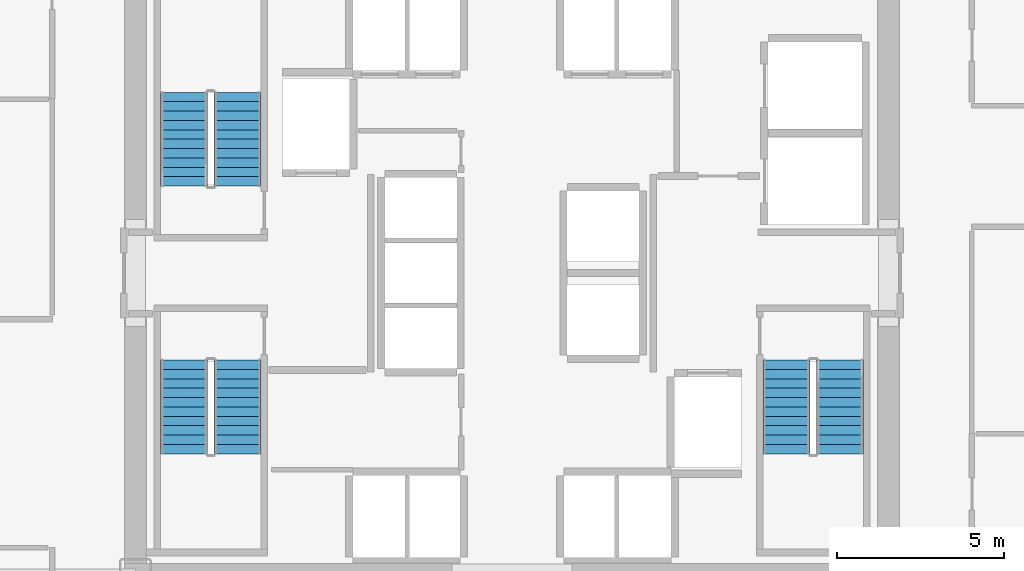
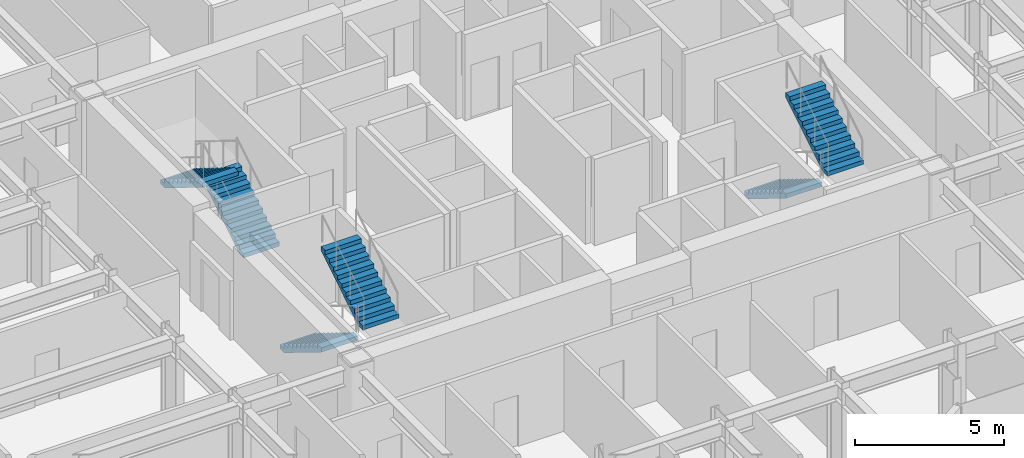
# One storey, part 25 of 26: 6 stair flights, 3 elements without a shape of their own.
"""IFC4 building model written with IfcOpenShell, lengths in metres."""

from ifc_helpers import new_model, si_unit, direction, frame, origin, place, context, subcontext, project, spatial, polyline, outline, extrude, source, transform, mapped, material, type_object, element, aggregate, save


model = new_model("IFC4")

# Units and contexts
model_context = context("Model", 3, precision=1e-05, world=origin(), true_north=direction((0.0, 1.0)))
body_context = subcontext(model_context, "Body", "Model", "MODEL_VIEW")
ifc_project = project(units=[si_unit("LENGTHUNIT", "METRE"), si_unit("AREAUNIT", "SQUARE_METRE"), si_unit("VOLUMEUNIT", "CUBIC_METRE"), si_unit("PLANEANGLEUNIT", "RADIAN"), si_unit("MASSUNIT", "GRAM", prefix="KILO")], contexts=[model_context])

# Site, building, storey
site_placement = place(None, origin())
site = spatial("IfcSite", under=ifc_project, at=site_placement, CompositionType="ELEMENT")
building_placement = place(site_placement, origin())
building = spatial("IfcBuilding", under=site, at=building_placement, Name="Nefas-Gora Pilgrimage Tower", CompositionType="ELEMENT")
storey_placement = place(building_placement, frame((0.0, 0.0, 36.800048828125)))
storey = spatial("IfcBuildingStorey", under=building, at=storey_placement, Name="L07", CompositionType="ELEMENT", Elevation=36.800048828125)

# Stair, stair flights
ifc_material = material(Name="Concrete C45/55", Category="concrete")
stair_type = type_object("IfcStairType", Name="STR-1400-R1727", PredefinedType="HALF_TURN_STAIR", material=ifc_material)
stair_1_placement = place(storey_placement, origin())
stair_1 = element("IfcStair", 1, at=stair_1_placement, inside=storey, type_object=stair_type, Name="L07 Pressurised Tower Exit Stair ST-01", PredefinedType="HALF_TURN_STAIR")
stair_flight_type = type_object("IfcStairFlightType", Name="STF-1400-R1727", PredefinedType="STRAIGHT", material=ifc_material)
shared_shape = source(origin(), body_context, "Body", "SweptSolid", [
    extrude(outline(polyline([(0.0, 0.0), (0.0, 0.172607421875), (0.280029296875, 0.172607421875), (0.280029296875, 0.345458984375), (0.56005859375, 0.345458984375), (0.56005859375, 0.51806640625), (0.840087890625, 0.51806640625), (0.840087890625, 0.69091796875), (1.1201171875, 0.69091796875), (1.1201171875, 0.863525390625), (1.39990234375, 0.863525390625), (1.39990234375, 1.036376953125), (1.679931640625, 1.036376953125), (1.679931640625, 1.208984375), (1.9599609375, 1.208984375), (1.9599609375, 1.3818359375), (2.239990234375, 1.3818359375), (2.239990234375, 1.554443359375), (2.52001953125, 1.554443359375), (2.52001953125, 1.727294921875), (2.800048828125, 1.727294921875), (2.800048828125, 1.89990234375), (2.800048828125, 1.551025390625), (0.285400390625, 0.0), (0.0, 0.0)])), frame((0.0, 0.699951171875, 0.0), z_axis=(0.0, -1.0, 0.0), x_axis=(1.0, 0.0, 0.0)), (0.0, 0.0, 1.0), 1.39990234375),
])
stair_flight_1_placement = place(storey_placement, frame((-8.199951171875, 2.60009765625, 0.0), z_axis=(0.0, 0.0, 1.0), x_axis=(0.0, 1.0, 0.0)))
stair_flight_1 = element("IfcStairFlight", 2, at=stair_flight_1_placement, type_object=stair_flight_type, Name="ST-01 flight 1", NumberOfRisers=11, NumberOfTreads=10, PredefinedType="STRAIGHT", RiserHeight=0.172727273, TreadLength=0.28, context=body_context, shape_type="MappedRepresentation", body=[
    mapped(shared_shape, transform((0.0, 0.0, 0.0), x_axis=(1.0, 0.0, 0.0), y_axis=(0.0, 1.0, 0.0), z_axis=(0.0, 0.0, 1.0), scale=1.0)),
])
stair_flight_2_placement = place(storey_placement, frame((-9.800048828125, 5.39990234375, 1.89990234375), z_axis=(0.0, 0.0, 1.0), x_axis=(0.0, -1.0, 0.0)))
stair_flight_2 = element("IfcStairFlight", 3, at=stair_flight_2_placement, type_object=stair_flight_type, Name="ST-01 flight 2", NumberOfRisers=11, NumberOfTreads=10, PredefinedType="STRAIGHT", RiserHeight=0.172727273, TreadLength=0.28, context=body_context, shape_type="MappedRepresentation", body=[
    mapped(shared_shape, transform((0.0, 0.0, 0.0), x_axis=(1.0, 0.0, 0.0), y_axis=(0.0, 1.0, 0.0), z_axis=(0.0, 0.0, 1.0), scale=1.0)),
])
aggregate(stair_1, [stair_flight_1, stair_flight_2])

stair_2_placement = place(storey_placement, origin())
stair_2 = element("IfcStair", 4, at=stair_2_placement, inside=storey, type_object=stair_type, Name="L07 Pressurised Tower Exit Stair ST-02", PredefinedType="HALF_TURN_STAIR")
stair_flight_3_placement = place(storey_placement, frame((8.199951171875, -2.60009765625, 0.0), z_axis=(0.0, 0.0, 1.0), x_axis=(0.0, -1.0, 0.0)))
stair_flight_3 = element("IfcStairFlight", 5, at=stair_flight_3_placement, type_object=stair_flight_type, Name="ST-02 flight 1", NumberOfRisers=11, NumberOfTreads=10, PredefinedType="STRAIGHT", RiserHeight=0.172727273, TreadLength=0.28, context=body_context, shape_type="MappedRepresentation", body=[
    mapped(shared_shape, transform((0.0, 0.0, 0.0), x_axis=(1.0, 0.0, 0.0), y_axis=(0.0, 1.0, 0.0), z_axis=(0.0, 0.0, 1.0), scale=1.0)),
])
stair_flight_4_placement = place(storey_placement, frame((9.800048828125, -5.39990234375, 1.89990234375), z_axis=(0.0, 0.0, 1.0), x_axis=(0.0, 1.0, 0.0)))
stair_flight_4 = element("IfcStairFlight", 6, at=stair_flight_4_placement, type_object=stair_flight_type, Name="ST-02 flight 2", NumberOfRisers=11, NumberOfTreads=10, PredefinedType="STRAIGHT", RiserHeight=0.172727273, TreadLength=0.28, context=body_context, shape_type="MappedRepresentation", body=[
    mapped(shared_shape, transform((0.0, 0.0, 0.0), x_axis=(1.0, 0.0, 0.0), y_axis=(0.0, 1.0, 0.0), z_axis=(0.0, 0.0, 1.0), scale=1.0)),
])
aggregate(stair_2, [stair_flight_3, stair_flight_4])

stair_3_placement = place(storey_placement, origin())
stair_3 = element("IfcStair", 7, at=stair_3_placement, inside=storey, type_object=stair_type, Name="L07 Pressurised Tower Exit Stair ST-03", PredefinedType="HALF_TURN_STAIR")
stair_flight_5_placement = place(storey_placement, frame((-9.800048828125, -2.60009765625, 0.0), z_axis=(0.0, 0.0, 1.0), x_axis=(0.0, -1.0, 0.0)))
stair_flight_5 = element("IfcStairFlight", 8, at=stair_flight_5_placement, type_object=stair_flight_type, Name="ST-03 flight 1", NumberOfRisers=11, NumberOfTreads=10, PredefinedType="STRAIGHT", RiserHeight=0.172727273, TreadLength=0.28, context=body_context, shape_type="MappedRepresentation", body=[
    mapped(shared_shape, transform((0.0, 0.0, 0.0), x_axis=(1.0, 0.0, 0.0), y_axis=(0.0, 1.0, 0.0), z_axis=(0.0, 0.0, 1.0), scale=1.0)),
])
stair_flight_6_placement = place(storey_placement, frame((-8.199951171875, -5.39990234375, 1.89990234375), z_axis=(0.0, 0.0, 1.0), x_axis=(0.0, 1.0, 0.0)))
stair_flight_6 = element("IfcStairFlight", 9, at=stair_flight_6_placement, type_object=stair_flight_type, Name="ST-03 flight 2", NumberOfRisers=11, NumberOfTreads=10, PredefinedType="STRAIGHT", RiserHeight=0.172727273, TreadLength=0.28, context=body_context, shape_type="MappedRepresentation", body=[
    mapped(shared_shape, transform((0.0, 0.0, 0.0), x_axis=(1.0, 0.0, 0.0), y_axis=(0.0, 1.0, 0.0), z_axis=(0.0, 0.0, 1.0), scale=1.0)),
])
aggregate(stair_3, [stair_flight_5, stair_flight_6])

save(model, "model.ifc")
